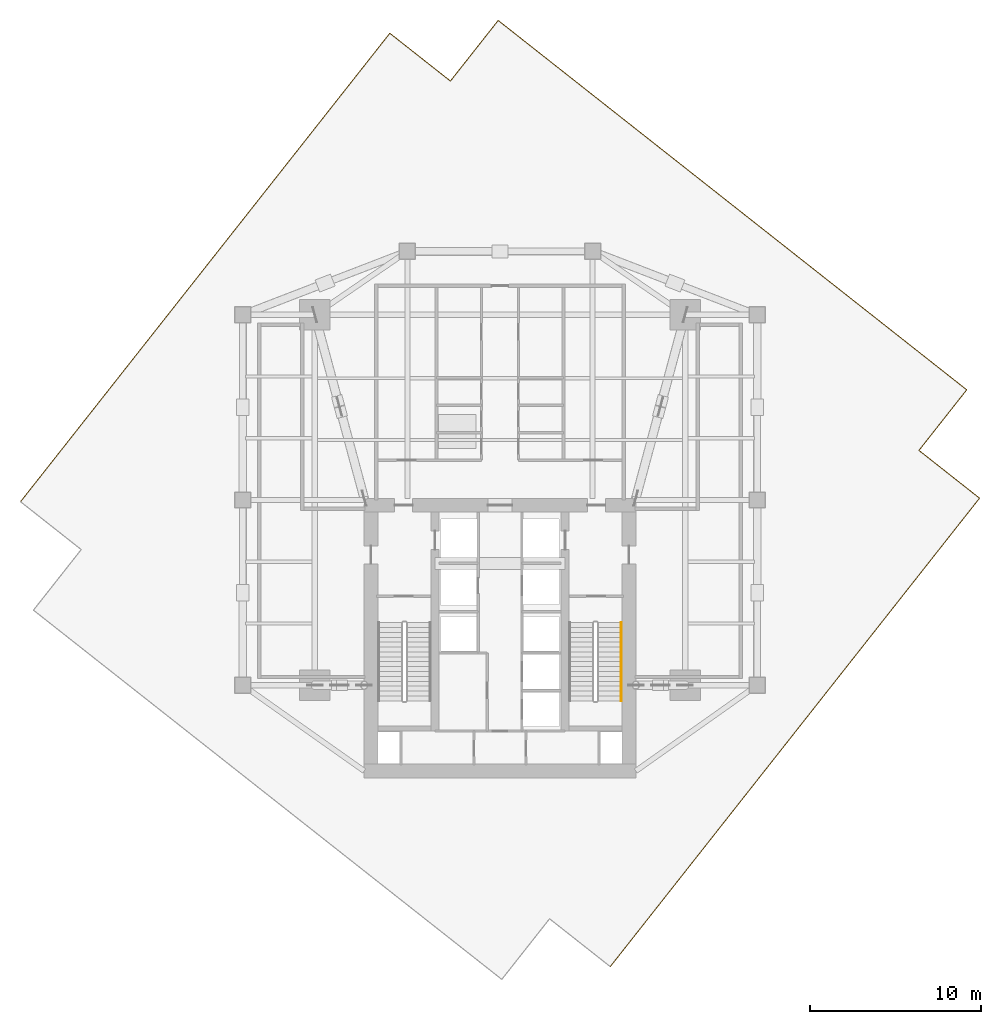
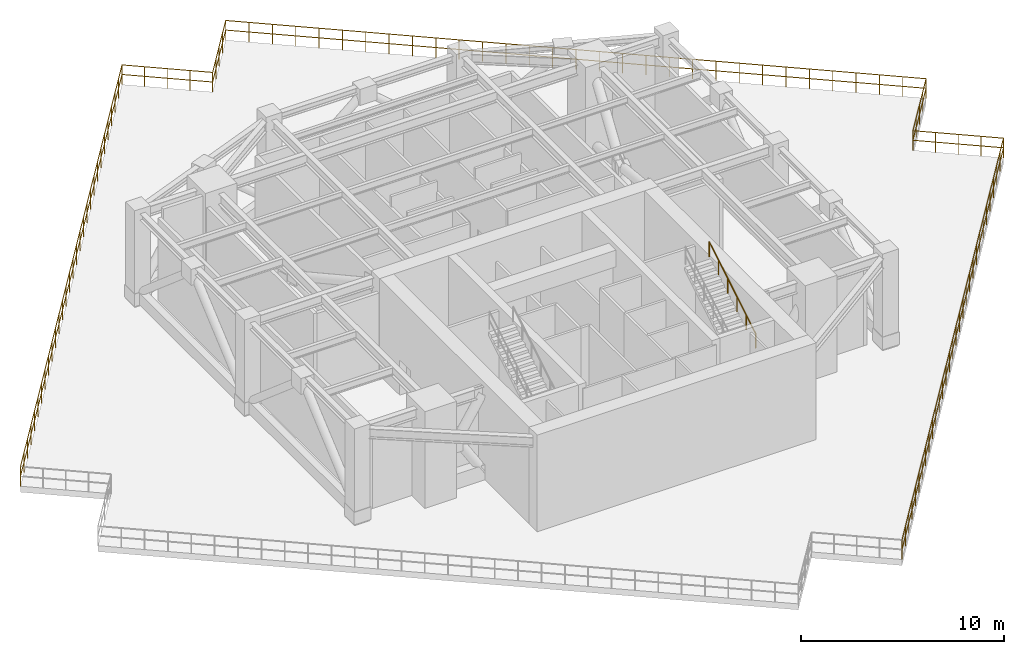
# One storey, part 8 of 8: 8 railings.
"""IFC4 building model written with IfcOpenShell, lengths in metres."""

from ifc_helpers import new_model, si_unit, direction, frame, origin, origin_2d, place, context, subcontext, project, spatial, circle, extrude, material, layer, layer_set, type_object, element, save


model = new_model("IFC4")

# Units and contexts
model_context = context("Model", 3, precision=1e-05, world=origin(), true_north=direction((0.0, 1.0)))
body_context = subcontext(model_context, "Body", "Model", "MODEL_VIEW")
ifc_project = project(units=[si_unit("LENGTHUNIT", "METRE"), si_unit("AREAUNIT", "SQUARE_METRE"), si_unit("VOLUMEUNIT", "CUBIC_METRE"), si_unit("PLANEANGLEUNIT", "RADIAN"), si_unit("MASSUNIT", "GRAM", prefix="KILO")], contexts=[model_context])

# Site, building, storey
site_placement = place(None, origin())
site = spatial("IfcSite", under=ifc_project, at=site_placement, CompositionType="ELEMENT")
building_placement = place(site_placement, origin())
building = spatial("IfcBuilding", under=site, at=building_placement, Name="Krantzveldt Concourse Tower", CompositionType="ELEMENT")
storey_placement = place(building_placement, frame((0.0, 0.0, 201.5)))
storey = spatial("IfcBuildingStorey", under=building, at=storey_placement, Name="L49", CompositionType="ELEMENT", Elevation=201.5)

# Railings
ifc_material = material(Name="Stainless steel 316L", Category="steel")
ifc_layer_1 = layer(ifc_material, 0.080078125, Name="Stainless steel 316L", Category="steel")
ifc_layer_set_1 = layer_set([ifc_layer_1], Name="Stainless steel 316L (RL-BALUSTRADE-1150)")
railing_type_1 = type_object("IfcRailingType", Name="RL-BALUSTRADE-1150", PredefinedType="BALUSTRADE", material=ifc_layer_set_1)
railing_1_placement = place(storey_placement, frame((33.107666015625, 51.13671875, 0.0)))
element("IfcRailing", 1, at=railing_1_placement, inside=storey, type_object=railing_type_1, Name="GD-L49-WIND-01", PredefinedType="BALUSTRADE", context=body_context, shape_type="SweptSolid", body=[
    extrude(circle(Radius=0.02392578125, at=origin_2d()), frame((0.0, 0.0, 1.17578125), z_axis=(-0.785321412116, 0.619088264847, 0.0), x_axis=(-0.619088264847, -0.785321412116, 0.0)), (0.0, 0.0, 1.0), 4.5),
    extrude(circle(Radius=0.02392578125, at=origin_2d()), frame((0.0, 0.0, 0.60009765625), z_axis=(-0.785321412116, 0.619088264847, 0.0), x_axis=(-0.619088264847, -0.785321412116, 0.0)), (0.0, 0.0, 1.0), 4.5),
    extrude(circle(Radius=0.02099609375, at=origin_2d()), origin(), (0.0, 0.0, 1.0), 1.15185546875),
    extrude(circle(Radius=0.02099609375, at=origin_2d()), frame((-0.883544921875, 0.696533203125, 0.0)), (0.0, 0.0, 1.0), 1.15185546875),
    extrude(circle(Radius=0.02099609375, at=origin_2d()), frame((-1.76708984375, 1.39306640625, 0.0)), (0.0, 0.0, 1.0), 1.15185546875),
    extrude(circle(Radius=0.02099609375, at=origin_2d()), frame((-2.650390625, 2.08935546875, 0.0)), (0.0, 0.0, 1.0), 1.15185546875),
    extrude(circle(Radius=0.02099609375, at=origin_2d()), frame((-3.533935546875, 2.785888671875, 0.0)), (0.0, 0.0, 1.0), 1.15185546875),
])
railing_2_placement = place(storey_placement, frame((29.57373046875, 53.922607421875, 0.0)))
element("IfcRailing", 2, at=railing_2_placement, inside=storey, type_object=railing_type_1, Name="GD-L49-WIND-02", PredefinedType="BALUSTRADE", context=body_context, shape_type="SweptSolid", body=[
    extrude(circle(Radius=0.02392578125, at=origin_2d()), frame((0.0, 0.0, 1.17578125), z_axis=(-0.619095713932, -0.785315539762, 0.0), x_axis=(0.785315539762, -0.619095713932, 0.0)), (0.0, 0.0, 1.0), 34.7998046875),
    extrude(circle(Radius=0.02392578125, at=origin_2d()), frame((0.0, 0.0, 0.60009765625), z_axis=(-0.619095713932, -0.785315539762, 0.0), x_axis=(0.785315539762, -0.619095713932, 0.0)), (0.0, 0.0, 1.0), 34.7998046875),
    extrude(circle(Radius=0.02099609375, at=origin_2d()), origin(), (0.0, 0.0, 1.0), 1.15185546875),
    extrude(circle(Radius=0.02099609375, at=origin_2d()), frame((-0.742919921875, -0.9423828125, 0.0)), (0.0, 0.0, 1.0), 1.15185546875),
    extrude(circle(Radius=0.02099609375, at=origin_2d()), frame((-1.48583984375, -1.884765625, 0.0)), (0.0, 0.0, 1.0), 1.15185546875),
    extrude(circle(Radius=0.02099609375, at=origin_2d()), frame((-2.228759765625, -2.8271484375, 0.0)), (0.0, 0.0, 1.0), 1.15185546875),
    extrude(circle(Radius=0.02099609375, at=origin_2d()), frame((-2.9716796875, -3.76953125, 0.0)), (0.0, 0.0, 1.0), 1.15185546875),
    extrude(circle(Radius=0.02099609375, at=origin_2d()), frame((-3.714599609375, -4.7119140625, 0.0)), (0.0, 0.0, 1.0), 1.15185546875),
    extrude(circle(Radius=0.02099609375, at=origin_2d()), frame((-4.45751953125, -5.654296875, 0.0)), (0.0, 0.0, 1.0), 1.15185546875),
    extrude(circle(Radius=0.02099609375, at=origin_2d()), frame((-5.200439453125, -6.5966796875, 0.0)), (0.0, 0.0, 1.0), 1.15185546875),
    extrude(circle(Radius=0.02099609375, at=origin_2d()), frame((-5.943359375, -7.5390625, 0.0)), (0.0, 0.0, 1.0), 1.15185546875),
    extrude(circle(Radius=0.02099609375, at=origin_2d()), frame((-6.686279296875, -8.4814453125, 0.0)), (0.0, 0.0, 1.0), 1.15185546875),
    extrude(circle(Radius=0.02099609375, at=origin_2d()), frame((-7.42919921875, -9.423828125, 0.0)), (0.0, 0.0, 1.0), 1.15185546875),
    extrude(circle(Radius=0.02099609375, at=origin_2d()), frame((-8.172119140625, -10.3662109375, 0.0)), (0.0, 0.0, 1.0), 1.15185546875),
    extrude(circle(Radius=0.02099609375, at=origin_2d()), frame((-8.9150390625, -11.30859375, 0.0)), (0.0, 0.0, 1.0), 1.15185546875),
    extrude(circle(Radius=0.02099609375, at=origin_2d()), frame((-9.657958984375, -12.2509765625, 0.0)), (0.0, 0.0, 1.0), 1.15185546875),
    extrude(circle(Radius=0.02099609375, at=origin_2d()), frame((-10.40087890625, -13.193359375, 0.0)), (0.0, 0.0, 1.0), 1.15185546875),
    extrude(circle(Radius=0.02099609375, at=origin_2d()), frame((-11.1435546875, -14.135498046875, 0.0)), (0.0, 0.0, 1.0), 1.15185546875),
    extrude(circle(Radius=0.02099609375, at=origin_2d()), frame((-11.886474609375, -15.077880859375, 0.0)), (0.0, 0.0, 1.0), 1.15185546875),
    extrude(circle(Radius=0.02099609375, at=origin_2d()), frame((-12.62939453125, -16.020263671875, 0.0)), (0.0, 0.0, 1.0), 1.15185546875),
    extrude(circle(Radius=0.02099609375, at=origin_2d()), frame((-13.372314453125, -16.962646484375, 0.0)), (0.0, 0.0, 1.0), 1.15185546875),
    extrude(circle(Radius=0.02099609375, at=origin_2d()), frame((-14.115234375, -17.905029296875, 0.0)), (0.0, 0.0, 1.0), 1.15185546875),
    extrude(circle(Radius=0.02099609375, at=origin_2d()), frame((-14.858154296875, -18.847412109375, 0.0)), (0.0, 0.0, 1.0), 1.15185546875),
    extrude(circle(Radius=0.02099609375, at=origin_2d()), frame((-15.60107421875, -19.789794921875, 0.0)), (0.0, 0.0, 1.0), 1.15185546875),
    extrude(circle(Radius=0.02099609375, at=origin_2d()), frame((-16.343994140625, -20.732177734375, 0.0)), (0.0, 0.0, 1.0), 1.15185546875),
    extrude(circle(Radius=0.02099609375, at=origin_2d()), frame((-17.0869140625, -21.674560546875, 0.0)), (0.0, 0.0, 1.0), 1.15185546875),
    extrude(circle(Radius=0.02099609375, at=origin_2d()), frame((-17.829833984375, -22.616943359375, 0.0)), (0.0, 0.0, 1.0), 1.15185546875),
    extrude(circle(Radius=0.02099609375, at=origin_2d()), frame((-18.57275390625, -23.559326171875, 0.0)), (0.0, 0.0, 1.0), 1.15185546875),
    extrude(circle(Radius=0.02099609375, at=origin_2d()), frame((-19.315673828125, -24.501708984375, 0.0)), (0.0, 0.0, 1.0), 1.15185546875),
    extrude(circle(Radius=0.02099609375, at=origin_2d()), frame((-20.05859375, -25.444091796875, 0.0)), (0.0, 0.0, 1.0), 1.15185546875),
    extrude(circle(Radius=0.02099609375, at=origin_2d()), frame((-20.801513671875, -26.386474609375, 0.0)), (0.0, 0.0, 1.0), 1.15185546875),
    extrude(circle(Radius=0.02099609375, at=origin_2d()), frame((-21.54443359375, -27.328857421875, 0.0)), (0.0, 0.0, 1.0), 1.15185546875),
])
railing_3_placement = place(storey_placement, frame((42.42626953125, -0.522705078125, 0.0)))
element("IfcRailing", 3, at=railing_3_placement, inside=storey, type_object=railing_type_1, Name="GD-L49-WIND-08", PredefinedType="BALUSTRADE", context=body_context, shape_type="SweptSolid", body=[
    extrude(circle(Radius=0.02392578125, at=origin_2d()), frame((0.0, 0.0, 1.17578125), z_axis=(0.619092303078, 0.785318228662, 0.0), x_axis=(-0.785318228662, 0.619092303078, 0.0)), (0.0, 0.0, 1.0), 34.800048828125),
    extrude(circle(Radius=0.02392578125, at=origin_2d()), frame((0.0, 0.0, 0.60009765625), z_axis=(0.619092303078, 0.785318228662, 0.0), x_axis=(-0.785318228662, 0.619092303078, 0.0)), (0.0, 0.0, 1.0), 34.800048828125),
    extrude(circle(Radius=0.02099609375, at=origin_2d()), origin(), (0.0, 0.0, 1.0), 1.15185546875),
    extrude(circle(Radius=0.02099609375, at=origin_2d()), frame((0.71826171875, 0.910888671875, 0.0)), (0.0, 0.0, 1.0), 1.15185546875),
    extrude(circle(Radius=0.02099609375, at=origin_2d()), frame((1.436279296875, 1.822021484375, 0.0)), (0.0, 0.0, 1.0), 1.15185546875),
    extrude(circle(Radius=0.02099609375, at=origin_2d()), frame((2.154541015625, 2.73291015625, 0.0)), (0.0, 0.0, 1.0), 1.15185546875),
    extrude(circle(Radius=0.02099609375, at=origin_2d()), frame((2.87255859375, 3.643798828125, 0.0)), (0.0, 0.0, 1.0), 1.15185546875),
    extrude(circle(Radius=0.02099609375, at=origin_2d()), frame((3.5908203125, 4.554931640625, 0.0)), (0.0, 0.0, 1.0), 1.15185546875),
    extrude(circle(Radius=0.02099609375, at=origin_2d()), frame((4.308837890625, 5.4658203125, 0.0)), (0.0, 0.0, 1.0), 1.15185546875),
    extrude(circle(Radius=0.02099609375, at=origin_2d()), frame((5.027099609375, 6.376708984375, 0.0)), (0.0, 0.0, 1.0), 1.15185546875),
    extrude(circle(Radius=0.02099609375, at=origin_2d()), frame((5.7451171875, 7.287841796875, 0.0)), (0.0, 0.0, 1.0), 1.15185546875),
    extrude(circle(Radius=0.02099609375, at=origin_2d()), frame((6.46337890625, 8.19873046875, 0.0)), (0.0, 0.0, 1.0), 1.15185546875),
    extrude(circle(Radius=0.02099609375, at=origin_2d()), frame((7.181396484375, 9.109619140625, 0.0)), (0.0, 0.0, 1.0), 1.15185546875),
    extrude(circle(Radius=0.02099609375, at=origin_2d()), frame((7.899658203125, 10.020751953125, 0.0)), (0.0, 0.0, 1.0), 1.15185546875),
    extrude(circle(Radius=0.02099609375, at=origin_2d()), frame((8.61767578125, 10.931640625, 0.0)), (0.0, 0.0, 1.0), 1.15185546875),
    extrude(circle(Radius=0.02099609375, at=origin_2d()), frame((9.3359375, 11.842529296875, 0.0)), (0.0, 0.0, 1.0), 1.15185546875),
    extrude(circle(Radius=0.02099609375, at=origin_2d()), frame((10.053955078125, 12.753662109375, 0.0)), (0.0, 0.0, 1.0), 1.15185546875),
    extrude(circle(Radius=0.02099609375, at=origin_2d()), frame((10.772216796875, 13.66455078125, 0.0)), (0.0, 0.0, 1.0), 1.15185546875),
    extrude(circle(Radius=0.02099609375, at=origin_2d()), frame((11.490478515625, 14.575439453125, 0.0)), (0.0, 0.0, 1.0), 1.15185546875),
    extrude(circle(Radius=0.02099609375, at=origin_2d()), frame((12.20849609375, 15.486572265625, 0.0)), (0.0, 0.0, 1.0), 1.15185546875),
    extrude(circle(Radius=0.02099609375, at=origin_2d()), frame((12.9267578125, 16.3974609375, 0.0)), (0.0, 0.0, 1.0), 1.15185546875),
    extrude(circle(Radius=0.02099609375, at=origin_2d()), frame((13.644775390625, 17.308349609375, 0.0)), (0.0, 0.0, 1.0), 1.15185546875),
    extrude(circle(Radius=0.02099609375, at=origin_2d()), frame((14.363037109375, 18.219482421875, 0.0)), (0.0, 0.0, 1.0), 1.15185546875),
    extrude(circle(Radius=0.02099609375, at=origin_2d()), frame((15.0810546875, 19.13037109375, 0.0)), (0.0, 0.0, 1.0), 1.15185546875),
    extrude(circle(Radius=0.02099609375, at=origin_2d()), frame((15.79931640625, 20.041259765625, 0.0)), (0.0, 0.0, 1.0), 1.15185546875),
    extrude(circle(Radius=0.02099609375, at=origin_2d()), frame((16.517333984375, 20.952392578125, 0.0)), (0.0, 0.0, 1.0), 1.15185546875),
    extrude(circle(Radius=0.02099609375, at=origin_2d()), frame((17.235595703125, 21.86328125, 0.0)), (0.0, 0.0, 1.0), 1.15185546875),
    extrude(circle(Radius=0.02099609375, at=origin_2d()), frame((17.95361328125, 22.774169921875, 0.0)), (0.0, 0.0, 1.0), 1.15185546875),
    extrude(circle(Radius=0.02099609375, at=origin_2d()), frame((18.671875, 23.685302734375, 0.0)), (0.0, 0.0, 1.0), 1.15185546875),
    extrude(circle(Radius=0.02099609375, at=origin_2d()), frame((19.389892578125, 24.59619140625, 0.0)), (0.0, 0.0, 1.0), 1.15185546875),
    extrude(circle(Radius=0.02099609375, at=origin_2d()), frame((20.108154296875, 25.507080078125, 0.0)), (0.0, 0.0, 1.0), 1.15185546875),
    extrude(circle(Radius=0.02099609375, at=origin_2d()), frame((20.826171875, 26.418212890625, 0.0)), (0.0, 0.0, 1.0), 1.15185546875),
    extrude(circle(Radius=0.02099609375, at=origin_2d()), frame((21.54443359375, 27.3291015625, 0.0)), (0.0, 0.0, 1.0), 1.15185546875),
])
railing_4_placement = place(storey_placement, frame((63.970703125, 26.806396484375, 0.0)))
element("IfcRailing", 4, at=railing_4_placement, inside=storey, type_object=railing_type_1, Name="GD-L49-WIND-09", PredefinedType="BALUSTRADE", context=body_context, shape_type="SweptSolid", body=[
    extrude(circle(Radius=0.02392578125, at=origin_2d()), frame((0.0, 0.0, 1.17578125), z_axis=(-0.785321412116, 0.619088264847, 0.0), x_axis=(-0.619088264847, -0.785321412116, 0.0)), (0.0, 0.0, 1.0), 4.5),
    extrude(circle(Radius=0.02392578125, at=origin_2d()), frame((0.0, 0.0, 0.60009765625), z_axis=(-0.785321412116, 0.619088264847, 0.0), x_axis=(-0.619088264847, -0.785321412116, 0.0)), (0.0, 0.0, 1.0), 4.5),
    extrude(circle(Radius=0.02099609375, at=origin_2d()), origin(), (0.0, 0.0, 1.0), 1.15185546875),
    extrude(circle(Radius=0.02099609375, at=origin_2d()), frame((-0.883544921875, 0.696533203125, 0.0)), (0.0, 0.0, 1.0), 1.15185546875),
    extrude(circle(Radius=0.02099609375, at=origin_2d()), frame((-1.76708984375, 1.39306640625, 0.0)), (0.0, 0.0, 1.0), 1.15185546875),
    extrude(circle(Radius=0.02099609375, at=origin_2d()), frame((-2.650390625, 2.08935546875, 0.0)), (0.0, 0.0, 1.0), 1.15185546875),
    extrude(circle(Radius=0.02099609375, at=origin_2d()), frame((-3.533935546875, 2.785888671875, 0.0)), (0.0, 0.0, 1.0), 1.15185546875),
])
railing_5_placement = place(storey_placement, frame((60.436767578125, 29.59228515625, 0.0)))
element("IfcRailing", 5, at=railing_5_placement, inside=storey, type_object=railing_type_1, Name="GD-L49-WIND-10", PredefinedType="BALUSTRADE", context=body_context, shape_type="SweptSolid", body=[
    extrude(circle(Radius=0.02392578125, at=origin_2d()), frame((0.0, 0.0, 1.17578125), z_axis=(0.619088264847, 0.785321412116, 0.0), x_axis=(-0.785321412116, 0.619088264847, 0.0)), (0.0, 0.0, 1.0), 4.5),
    extrude(circle(Radius=0.02392578125, at=origin_2d()), frame((0.0, 0.0, 0.60009765625), z_axis=(0.619088264847, 0.785321412116, 0.0), x_axis=(-0.785321412116, 0.619088264847, 0.0)), (0.0, 0.0, 1.0), 4.5),
    extrude(circle(Radius=0.02099609375, at=origin_2d()), origin(), (0.0, 0.0, 1.0), 1.15185546875),
    extrude(circle(Radius=0.02099609375, at=origin_2d()), frame((0.696533203125, 0.883544921875, 0.0)), (0.0, 0.0, 1.0), 1.15185546875),
    extrude(circle(Radius=0.02099609375, at=origin_2d()), frame((1.39306640625, 1.76708984375, 0.0)), (0.0, 0.0, 1.0), 1.15185546875),
    extrude(circle(Radius=0.02099609375, at=origin_2d()), frame((2.08935546875, 2.650390625, 0.0)), (0.0, 0.0, 1.0), 1.15185546875),
    extrude(circle(Radius=0.02099609375, at=origin_2d()), frame((2.785888671875, 3.533935546875, 0.0)), (0.0, 0.0, 1.0), 1.15185546875),
])
railing_6_placement = place(storey_placement, frame((63.22265625, 33.126220703125, 0.0)))
element("IfcRailing", 6, at=railing_6_placement, inside=storey, type_object=railing_type_1, Name="GD-L49-WIND-11", PredefinedType="BALUSTRADE", context=body_context, shape_type="SweptSolid", body=[
    extrude(circle(Radius=0.02392578125, at=origin_2d()), frame((0.0, 0.0, 1.17578125), z_axis=(-0.785318228662, 0.619092303078, 0.0), x_axis=(-0.619092303078, -0.785318228662, 0.0)), (0.0, 0.0, 1.0), 34.800048828125),
    extrude(circle(Radius=0.02392578125, at=origin_2d()), frame((0.0, 0.0, 0.60009765625), z_axis=(-0.785318228662, 0.619092303078, 0.0), x_axis=(-0.619092303078, -0.785318228662, 0.0)), (0.0, 0.0, 1.0), 34.800048828125),
    extrude(circle(Radius=0.02099609375, at=origin_2d()), origin(), (0.0, 0.0, 1.0), 1.15185546875),
    extrude(circle(Radius=0.02099609375, at=origin_2d()), frame((-0.910888671875, 0.71826171875, 0.0)), (0.0, 0.0, 1.0), 1.15185546875),
    extrude(circle(Radius=0.02099609375, at=origin_2d()), frame((-1.822021484375, 1.436279296875, 0.0)), (0.0, 0.0, 1.0), 1.15185546875),
    extrude(circle(Radius=0.02099609375, at=origin_2d()), frame((-2.73291015625, 2.154541015625, 0.0)), (0.0, 0.0, 1.0), 1.15185546875),
    extrude(circle(Radius=0.02099609375, at=origin_2d()), frame((-3.643798828125, 2.87255859375, 0.0)), (0.0, 0.0, 1.0), 1.15185546875),
    extrude(circle(Radius=0.02099609375, at=origin_2d()), frame((-4.554931640625, 3.5908203125, 0.0)), (0.0, 0.0, 1.0), 1.15185546875),
    extrude(circle(Radius=0.02099609375, at=origin_2d()), frame((-5.4658203125, 4.308837890625, 0.0)), (0.0, 0.0, 1.0), 1.15185546875),
    extrude(circle(Radius=0.02099609375, at=origin_2d()), frame((-6.376708984375, 5.027099609375, 0.0)), (0.0, 0.0, 1.0), 1.15185546875),
    extrude(circle(Radius=0.02099609375, at=origin_2d()), frame((-7.287841796875, 5.7451171875, 0.0)), (0.0, 0.0, 1.0), 1.15185546875),
    extrude(circle(Radius=0.02099609375, at=origin_2d()), frame((-8.19873046875, 6.46337890625, 0.0)), (0.0, 0.0, 1.0), 1.15185546875),
    extrude(circle(Radius=0.02099609375, at=origin_2d()), frame((-9.109619140625, 7.181396484375, 0.0)), (0.0, 0.0, 1.0), 1.15185546875),
    extrude(circle(Radius=0.02099609375, at=origin_2d()), frame((-10.020751953125, 7.899658203125, 0.0)), (0.0, 0.0, 1.0), 1.15185546875),
    extrude(circle(Radius=0.02099609375, at=origin_2d()), frame((-10.931640625, 8.61767578125, 0.0)), (0.0, 0.0, 1.0), 1.15185546875),
    extrude(circle(Radius=0.02099609375, at=origin_2d()), frame((-11.842529296875, 9.3359375, 0.0)), (0.0, 0.0, 1.0), 1.15185546875),
    extrude(circle(Radius=0.02099609375, at=origin_2d()), frame((-12.753662109375, 10.053955078125, 0.0)), (0.0, 0.0, 1.0), 1.15185546875),
    extrude(circle(Radius=0.02099609375, at=origin_2d()), frame((-13.66455078125, 10.772216796875, 0.0)), (0.0, 0.0, 1.0), 1.15185546875),
    extrude(circle(Radius=0.02099609375, at=origin_2d()), frame((-14.575439453125, 11.490478515625, 0.0)), (0.0, 0.0, 1.0), 1.15185546875),
    extrude(circle(Radius=0.02099609375, at=origin_2d()), frame((-15.486572265625, 12.20849609375, 0.0)), (0.0, 0.0, 1.0), 1.15185546875),
    extrude(circle(Radius=0.02099609375, at=origin_2d()), frame((-16.3974609375, 12.9267578125, 0.0)), (0.0, 0.0, 1.0), 1.15185546875),
    extrude(circle(Radius=0.02099609375, at=origin_2d()), frame((-17.308349609375, 13.644775390625, 0.0)), (0.0, 0.0, 1.0), 1.15185546875),
    extrude(circle(Radius=0.02099609375, at=origin_2d()), frame((-18.219482421875, 14.363037109375, 0.0)), (0.0, 0.0, 1.0), 1.15185546875),
    extrude(circle(Radius=0.02099609375, at=origin_2d()), frame((-19.13037109375, 15.0810546875, 0.0)), (0.0, 0.0, 1.0), 1.15185546875),
    extrude(circle(Radius=0.02099609375, at=origin_2d()), frame((-20.041259765625, 15.79931640625, 0.0)), (0.0, 0.0, 1.0), 1.15185546875),
    extrude(circle(Radius=0.02099609375, at=origin_2d()), frame((-20.952392578125, 16.517333984375, 0.0)), (0.0, 0.0, 1.0), 1.15185546875),
    extrude(circle(Radius=0.02099609375, at=origin_2d()), frame((-21.86328125, 17.235595703125, 0.0)), (0.0, 0.0, 1.0), 1.15185546875),
    extrude(circle(Radius=0.02099609375, at=origin_2d()), frame((-22.774169921875, 17.95361328125, 0.0)), (0.0, 0.0, 1.0), 1.15185546875),
    extrude(circle(Radius=0.02099609375, at=origin_2d()), frame((-23.685302734375, 18.671875, 0.0)), (0.0, 0.0, 1.0), 1.15185546875),
    extrude(circle(Radius=0.02099609375, at=origin_2d()), frame((-24.59619140625, 19.389892578125, 0.0)), (0.0, 0.0, 1.0), 1.15185546875),
    extrude(circle(Radius=0.02099609375, at=origin_2d()), frame((-25.507080078125, 20.108154296875, 0.0)), (0.0, 0.0, 1.0), 1.15185546875),
    extrude(circle(Radius=0.02099609375, at=origin_2d()), frame((-26.418212890625, 20.826171875, 0.0)), (0.0, 0.0, 1.0), 1.15185546875),
    extrude(circle(Radius=0.02099609375, at=origin_2d()), frame((-27.3291015625, 21.54443359375, 0.0)), (0.0, 0.0, 1.0), 1.15185546875),
])
railing_7_placement = place(storey_placement, frame((35.8935546875, 54.670654296875, 0.0)))
element("IfcRailing", 7, at=railing_7_placement, inside=storey, type_object=railing_type_1, Name="GD-L49-WIND-12", PredefinedType="BALUSTRADE", context=body_context, shape_type="SweptSolid", body=[
    extrude(circle(Radius=0.02392578125, at=origin_2d()), frame((0.0, 0.0, 1.17578125), z_axis=(-0.619088264847, -0.785321412116, 0.0), x_axis=(0.785321412116, -0.619088264847, 0.0)), (0.0, 0.0, 1.0), 4.5),
    extrude(circle(Radius=0.02392578125, at=origin_2d()), frame((0.0, 0.0, 0.60009765625), z_axis=(-0.619088264847, -0.785321412116, 0.0), x_axis=(0.785321412116, -0.619088264847, 0.0)), (0.0, 0.0, 1.0), 4.5),
    extrude(circle(Radius=0.02099609375, at=origin_2d()), origin(), (0.0, 0.0, 1.0), 1.15185546875),
    extrude(circle(Radius=0.02099609375, at=origin_2d()), frame((-0.696533203125, -0.883544921875, 0.0)), (0.0, 0.0, 1.0), 1.15185546875),
    extrude(circle(Radius=0.02099609375, at=origin_2d()), frame((-1.39306640625, -1.76708984375, 0.0)), (0.0, 0.0, 1.0), 1.15185546875),
    extrude(circle(Radius=0.02099609375, at=origin_2d()), frame((-2.08935546875, -2.650390625, 0.0)), (0.0, 0.0, 1.0), 1.15185546875),
    extrude(circle(Radius=0.02099609375, at=origin_2d()), frame((-2.785888671875, -3.533935546875, 0.0)), (0.0, 0.0, 1.0), 1.15185546875),
])
ifc_layer_2 = layer(ifc_material, 0.050048828125, Name="Stainless steel 316L", Category="steel")
ifc_layer_set_2 = layer_set([ifc_layer_2], Name="Stainless steel 316L (RL-HANDRAIL-920)")
railing_type_2 = type_object("IfcRailingType", Name="RL-HANDRAIL-920", PredefinedType="HANDRAIL", material=ifc_layer_set_2)
railing_8_placement = place(storey_placement, frame((43.070068359375, 14.989990234375, 3.070556640625)))
element("IfcRailing", 8, at=railing_8_placement, inside=storey, type_object=railing_type_2, Name="L49 ST-2 stair handrail 2", PredefinedType="HANDRAIL", context=body_context, shape_type="SweptSolid", body=[
    extrude(circle(Radius=0.02392578125, at=origin_2d()), frame((0.0, 0.0, 0.8759765625), z_axis=(0.0, 0.858035600736, 0.513590213954), x_axis=(-1.0, 0.0, 0.0)), (0.0, 0.0, 1.0), 5.314453125),
    extrude(circle(Radius=0.02099609375, at=origin_2d()), origin(), (0.0, 0.0, 1.0), 0.851806640625),
    extrude(circle(Radius=0.02099609375, at=origin_2d()), frame((0.0, 0.912109375, 0.5458984375)), (0.0, 0.0, 1.0), 0.851806640625),
    extrude(circle(Radius=0.02099609375, at=origin_2d()), frame((0.0, 1.823974609375, 1.091796875)), (0.0, 0.0, 1.0), 0.851806640625),
    extrude(circle(Radius=0.02099609375, at=origin_2d()), frame((0.0, 2.736083984375, 1.6376953125)), (0.0, 0.0, 1.0), 0.851806640625),
    extrude(circle(Radius=0.02099609375, at=origin_2d()), frame((0.0, 3.64794921875, 2.18359375)), (0.0, 0.0, 1.0), 0.851806640625),
    extrude(circle(Radius=0.02099609375, at=origin_2d()), frame((0.0, 4.56005859375, 2.7294921875)), (0.0, 0.0, 1.0), 0.851806640625),
])

save(model, "model.ifc")
